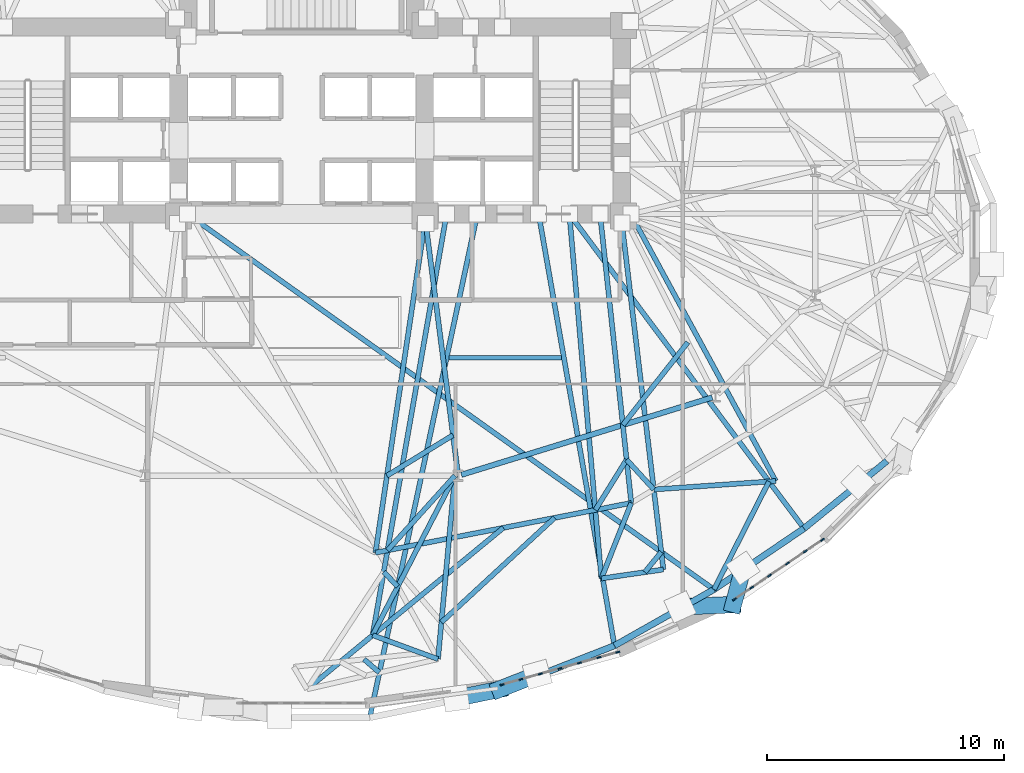
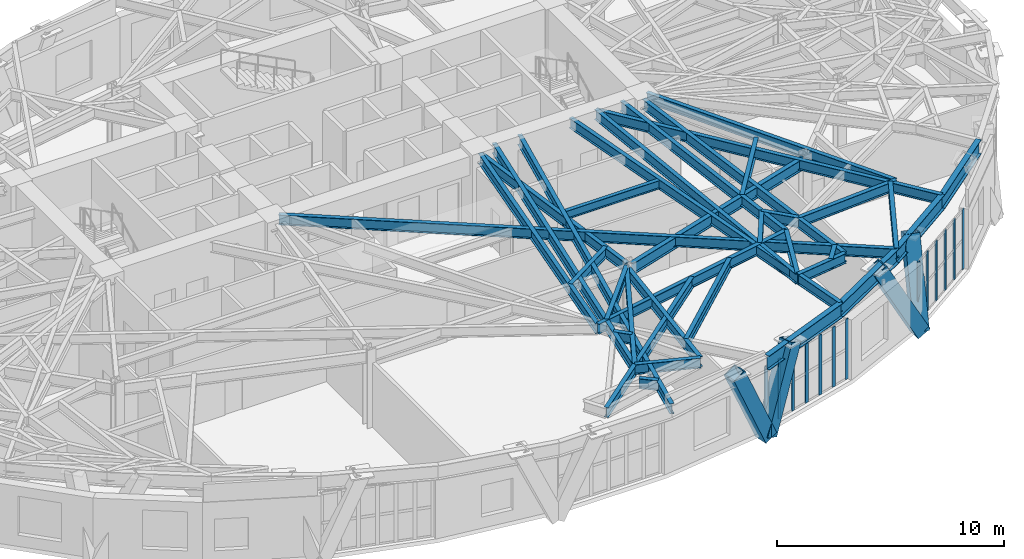
# One storey, part 5 of 20: 35 beams, 17 members, 2 elements without a shape of their own.
"""IFC4 building model written with IfcOpenShell, lengths in metres."""

import ifcopenshell
import ifcopenshell.guid

model = None  # the IFC model being written
_history = None  # IfcOwnerHistory: only IFC2X3 demands one
_inside = {}  # id of a spatial element -> (the spatial element, [elements in it])
_under = {}  # id of a project, library or spatial element -> (it, [spatial elements below it])
_declared = {}  # id of a project -> (the project, [libraries it declares])
_typed = {}  # id of a type object -> (the type object, [elements of that type])
_made_of = {}  # id of a material, layer set ... -> (it, [elements and type objects made of it])


def new_model(schema):
    """Start an empty IFC model of exactly this schema.

    Asked for "IFC4X3", IfcOpenShell would pick the latest addendum, in which some entities
    have other attributes; the version numbers below select the first issue.
    IFC2X3 requires an IfcOwnerHistory on every rooted entity: one is made here for all.
    """
    global model, _history
    if schema == "IFC4X3":
        model = ifcopenshell.file(schema_version=(4, 3, 0, 0))
    else:
        model = ifcopenshell.file(schema=schema)
    _inside.clear()
    _under.clear()
    _declared.clear()
    _typed.clear()
    _made_of.clear()
    _history = None
    if model.schema == "IFC2X3":
        org = make("IfcOrganization", Name="unknown")
        user = make(
            "IfcPersonAndOrganization",
            ThePerson=make("IfcPerson", FamilyName="unknown"),
            TheOrganization=org,
        )
        app = make(
            "IfcApplication",
            ApplicationDeveloper=org,
            Version="unknown",
            ApplicationFullName="unknown",
            ApplicationIdentifier="unknown",
        )
        _history = make(
            "IfcOwnerHistory",
            OwningUser=user,
            OwningApplication=app,
            ChangeAction="ADDED",
            CreationDate=0,
        )
    return model


def make(cls, **values):
    """One entity of the class cls with the attributes given. An attribute that is None is left unset."""
    return model.create_entity(
        cls, **{name: value for name, value in values.items() if value is not None}
    )


def rooted(cls, **values):
    """An entity with a GlobalId (a new one), such as an element, a storey or a relation."""
    return make(cls, GlobalId=ifcopenshell.guid.new(), OwnerHistory=_history, **values)


def si_unit(unit_type, name, prefix=None):
    """IfcSIUnit, for example si_unit("LENGTHUNIT", "METRE", prefix="MILLI")."""
    return make("IfcSIUnit", UnitType=unit_type, Prefix=prefix, Name=name)


def assignment(units):
    """IfcUnitAssignment: the units of a project."""
    return None if units is None else make("IfcUnitAssignment", Units=units)


def point(xyz):
    """IfcCartesianPoint."""
    return None if xyz is None else make("IfcCartesianPoint", Coordinates=xyz)


def direction(xyz):
    """IfcDirection."""
    return None if xyz is None else make("IfcDirection", DirectionRatios=xyz)


def frame(location, z_axis=None, x_axis=None):
    """IfcAxis2Placement3D, a coordinate frame: its origin and axes. An axis left out is left unset."""
    return make(
        "IfcAxis2Placement3D",
        Location=point(location),
        Axis=direction(z_axis),
        RefDirection=direction(x_axis),
    )


def frame_2d(location, x_axis=None):
    """IfcAxis2Placement2D, a coordinate frame in the plane: its origin and x axis."""
    return make(
        "IfcAxis2Placement2D", Location=point(location), RefDirection=direction(x_axis)
    )


def origin():
    """The frame at (0, 0, 0) with its axes left unset."""
    return frame((0.0, 0.0, 0.0))


def origin_2d():
    """The frame at (0, 0) in the plane with its x axis left unset."""
    return frame_2d((0.0, 0.0))


def place(relative_to, where):
    """IfcLocalPlacement: puts the frame where relative to a parent placement (None: the world)."""
    return make(
        "IfcLocalPlacement", PlacementRelTo=relative_to, RelativePlacement=where
    )


def context(
    kind, dimensions, precision=None, world=None, true_north=None, identifier=None
):
    """IfcGeometricRepresentationContext, for example the 3D "Model" context."""
    return make(
        "IfcGeometricRepresentationContext",
        ContextIdentifier=identifier,
        ContextType=kind,
        CoordinateSpaceDimension=dimensions,
        Precision=precision,
        WorldCoordinateSystem=world,
        TrueNorth=true_north,
    )


def subcontext(parent, identifier, kind, view, scale=None):
    """IfcGeometricRepresentationSubContext, for example "Body" below "Model"."""
    return make(
        "IfcGeometricRepresentationSubContext",
        ContextIdentifier=identifier,
        ContextType=kind,
        ParentContext=parent,
        TargetScale=scale,
        TargetView=view,
    )


def project(units=None, contexts=None):
    """IfcProject with its units and contexts."""
    return rooted(
        "IfcProject",
        Name="project",
        RepresentationContexts=contexts,
        UnitsInContext=assignment(units),
    )


def spatial(cls, under=None, at=None, **own):
    """A site, building, storey or space (cls), placed at a placement, below another one or the project."""
    s = rooted(cls, ObjectPlacement=at, **own)
    if under is not None:
        _under.setdefault(under.id(), (under, []))[1].append(s)
    return s


def profile(cls, at=None, kind="AREA", **sizes):
    """A parametric profile (cls). Its sizes go by their IFC names, for example OverallWidth=200.0."""
    return make(cls, ProfileType=kind, Position=at, **sizes)


def rectangle(**sizes):
    """IfcRectangleProfileDef."""
    return profile("IfcRectangleProfileDef", **sizes)


def hollow_rectangle(**sizes):
    """IfcRectangleHollowProfileDef."""
    return profile("IfcRectangleHollowProfileDef", **sizes)


def i_section(**sizes):
    """IfcIShapeProfileDef."""
    return profile("IfcIShapeProfileDef", **sizes)


def extrude(swept, where, along, depth):
    """IfcExtrudedAreaSolid: the profile swept, set in the frame where, extruded along a direction by depth."""
    return make(
        "IfcExtrudedAreaSolid",
        SweptArea=swept,
        Position=where,
        ExtrudedDirection=direction(along),
        Depth=depth,
    )


def shape(context_of_items, identifier, shape_type, items):
    """IfcShapeRepresentation: the items that make up one representation, for example the "Body"."""
    return make(
        "IfcShapeRepresentation",
        ContextOfItems=context_of_items,
        RepresentationIdentifier=identifier,
        RepresentationType=shape_type,
        Items=items,
    )


def material(Name=None, Category=None):
    """IfcMaterial."""
    return make("IfcMaterial", Name=Name, Category=Category)


def layer(
    of_material, thickness, ventilated=None, Name=None, Category=None, Priority=None
):
    """IfcMaterialLayer: one layer of a wall or slab, of a material (None: an air gap)."""
    return make(
        "IfcMaterialLayer",
        Material=of_material,
        LayerThickness=thickness,
        IsVentilated=ventilated,
        Name=Name,
        Category=Category,
        Priority=Priority,
    )


def layer_set(layers, Name=None):
    """IfcMaterialLayerSet."""
    return make("IfcMaterialLayerSet", MaterialLayers=layers, LayerSetName=Name)


def material_profile(
    of_material, cross_section, Name=None, Category=None, Priority=None
):
    """IfcMaterialProfile: a cross section and its material."""
    return make(
        "IfcMaterialProfile",
        Name=Name,
        Material=of_material,
        Profile=cross_section,
        Priority=Priority,
        Category=Category,
    )


def profile_set(profiles, Name=None, composite=None):
    """IfcMaterialProfileSet."""
    return make(
        "IfcMaterialProfileSet",
        Name=Name,
        MaterialProfiles=profiles,
        CompositeProfile=composite,
    )


def made_of(thing, what):
    """Note that an element or type object is made of a material, layer set ...; save() writes the relation."""
    if what is not None:
        _made_of.setdefault(what.id(), (what, []))[1].append(thing)
    return thing


def type_object(cls, material=None, **own):
    """A type object (cls), such as IfcWallType, which elements share."""
    return made_of(rooted(cls, **own), material)


def element(
    cls,
    number,
    at=None,
    inside=None,
    cuts=None,
    type_object=None,
    material=None,
    context=None,
    identifier="Body",
    shape_type=None,
    held_by="IfcProductDefinitionShape",
    body=None,
    shapes=None,
    **own,
):
    """One element of the class cls, such as IfcWall. Its Tag is "e" and its number.

    at: its placement. inside: the storey or other place that contains it. cuts: it is an
    opening in that element (IfcRelVoidsElement). A single representation is given by context,
    identifier, shape_type and body (its items); several are given by shapes. held_by: the class
    of the entity that holds the representations. save() writes the other relations.
    """
    e = rooted(cls, Tag="e%d" % number, ObjectPlacement=at, **own)
    if body is not None:
        shapes = [shape(context, identifier, shape_type, body)]
    if shapes is not None:
        e.Representation = make(held_by, Representations=shapes)
    if inside is not None:
        _inside.setdefault(inside.id(), (inside, []))[1].append(e)
    if cuts is not None:
        rooted(
            "IfcRelVoidsElement", RelatingBuildingElement=cuts, RelatedOpeningElement=e
        )
    if type_object is not None:
        _typed.setdefault(type_object.id(), (type_object, []))[1].append(e)
    return made_of(e, material)


def aggregate(whole, parts):
    """IfcRelAggregates: a whole, such as a stair, and the parts it consists of."""
    return rooted("IfcRelAggregates", RelatingObject=whole, RelatedObjects=parts)


def save(model, path):
    """Write the relations noted so far, then the file.

    IfcRelAggregates (storeys below a building ...), IfcRelContainedInSpatialStructure (elements
    in a storey), IfcRelDefinesByType, IfcRelAssociatesMaterial and IfcRelDeclares: one each for
    every whole, place, type object, material and project.
    """
    for whole, parts in _under.values():
        aggregate(whole, parts)
    for where, things in _inside.values():
        rooted(
            "IfcRelContainedInSpatialStructure",
            RelatedElements=things,
            RelatingStructure=where,
        )
    for kind, things in _typed.values():
        rooted("IfcRelDefinesByType", RelatedObjects=things, RelatingType=kind)
    for what, things in _made_of.values():
        rooted("IfcRelAssociatesMaterial", RelatedObjects=things, RelatingMaterial=what)
    for by, libraries in _declared.values():
        rooted("IfcRelDeclares", RelatingContext=by, RelatedDefinitions=libraries)
    model.write(path)


model = new_model("IFC4")

# Units and contexts
model_context = context("Model", 3, precision=1e-05, world=origin(), true_north=direction((0.0, 1.0)))
body_context = subcontext(model_context, "Body", "Model", "MODEL_VIEW")
ifc_project = project(units=[si_unit("LENGTHUNIT", "METRE"), si_unit("AREAUNIT", "SQUARE_METRE"), si_unit("VOLUMEUNIT", "CUBIC_METRE"), si_unit("PLANEANGLEUNIT", "RADIAN"), si_unit("MASSUNIT", "GRAM", prefix="KILO")], contexts=[model_context])

# Site, building, storey
site_placement = place(None, origin())
site = spatial("IfcSite", under=ifc_project, at=site_placement, CompositionType="ELEMENT")
building_placement = place(site_placement, origin())
building = spatial("IfcBuilding", under=site, at=building_placement, Name="Keldmark Tower", CompositionType="ELEMENT")
storey_placement = place(building_placement, frame((0.0, 0.0, 81.89990234375)))
storey = spatial("IfcBuildingStorey", under=building, at=storey_placement, Name="L21", CompositionType="ELEMENT", Elevation=81.89990234375)

# Beam
ifc_material_1 = material(Name="Steel ASTM A992 Grade 50", Category="steel")
ifc_material_profile_1 = material_profile(ifc_material_1, i_section(OverallWidth=0.19091796875, OverallDepth=0.45703125, WebThickness=0.009033203125, FlangeThickness=0.014404296875, at=origin_2d()), Name="W18X50")
ifc_profile_set_1 = profile_set([ifc_material_profile_1], Name="Steel ASTM A992 Grade 50")
beam_type_1 = type_object("IfcBeamType", Name="Composite Floor Joist W18X50", PredefinedType="JOIST", material=ifc_profile_set_1)
beam_1_placement = place(storey_placement, frame((6.21923828125, -4.60009765625, 3.781494140625), z_axis=(1.0, 0.0, 0.0), x_axis=(0.0, 1.0, 0.0)))
element("IfcBeam", 1, at=beam_1_placement, inside=storey, type_object=beam_type_1, Name="L21 Composite Floor Joist J05", PredefinedType="JOIST", context=body_context, shape_type="SweptSolid", body=[
    extrude(i_section(OverallWidth=0.19091796875, OverallDepth=0.45703125, WebThickness=0.009033203125, FlangeThickness=0.014404296875, at=origin_2d()), origin(), (0.0, 0.0, 1.0), 4.760986328125),
])

# Curtain wall, members
ifc_material_2 = material(Name="Unitized Thermally Broken Aluminum and Triple Low-E Glazing", Category="aluminium")
ifc_layer = layer(ifc_material_2, 0.219970703125)
ifc_layer_set = layer_set([ifc_layer], Name="Unitized Thermally Broken Aluminum and Triple Low-E Glazing")
curtain_wall_type = type_object("IfcCurtainWallType", Name="Sky Lobby Amenity Curtain Wall System", PredefinedType="NOTDEFINED", material=ifc_layer_set)
curtain_wall_1_placement = place(storey_placement, origin())
curtain_wall_1 = element("IfcCurtainWall", 2, at=curtain_wall_1_placement, inside=storey, type_object=curtain_wall_type, Name="L21 Sky Lobby Amenity Curtain Wall System CW-L21-26", PredefinedType="NOTDEFINED")
ifc_material_3 = material(Name="Extruded Aluminum Alloy 6063-T6", Category="aluminium")
ifc_material_profile_2 = material_profile(ifc_material_3, rectangle(XDim=0.06005859375, YDim=0.179931640625, at=origin_2d()), Name="CWM60X180")
ifc_profile_set_2 = profile_set([ifc_material_profile_2], Name="Extruded Aluminum Alloy 6063-T6")
member_type_1 = type_object("IfcMemberType", Name="Curtain Wall Structural Mullion 60x180", PredefinedType="MULLION", material=ifc_profile_set_2)
member_1_placement = place(storey_placement, frame((13.35302734375, -17.031494140625, 0.0), z_axis=(0.0, 0.0, 1.0), x_axis=(0.270028458695, -0.962852341481, 0.0)))
member_1 = element("IfcMember", 3, at=member_1_placement, type_object=member_type_1, Name="CW mullion 1", PredefinedType="MULLION", context=body_context, shape_type="SweptSolid", body=[
    extrude(rectangle(XDim=0.06005859375, YDim=0.179931640625, at=origin_2d()), origin(), (0.0, 0.0, 1.0), 3.22802734375),
])
member_2_placement = place(storey_placement, frame((12.5576171875, -17.254638671875, 0.0), z_axis=(0.0, 0.0, 1.0), x_axis=(0.270028458695, -0.962852341481, 0.0)))
member_2 = element("IfcMember", 4, at=member_2_placement, type_object=member_type_1, Name="CW mullion 2", PredefinedType="MULLION", context=body_context, shape_type="SweptSolid", body=[
    extrude(rectangle(XDim=0.06005859375, YDim=0.179931640625, at=origin_2d()), origin(), (0.0, 0.0, 1.0), 3.22802734375),
])
member_3_placement = place(storey_placement, frame((11.733154296875, -17.48583984375, 0.0), z_axis=(0.0, 0.0, 1.0), x_axis=(0.270028458695, -0.962852341481, 0.0)))
member_3 = element("IfcMember", 5, at=member_3_placement, type_object=member_type_1, Name="CW mullion 3", PredefinedType="MULLION", context=body_context, shape_type="SweptSolid", body=[
    extrude(rectangle(XDim=0.06005859375, YDim=0.179931640625, at=origin_2d()), origin(), (0.0, 0.0, 1.0), 3.22802734375),
])
member_4_placement = place(storey_placement, frame((10.90869140625, -17.717041015625, 0.0), z_axis=(0.0, 0.0, 1.0), x_axis=(0.270028458695, -0.962852341481, 0.0)))
member_4 = element("IfcMember", 6, at=member_4_placement, type_object=member_type_1, Name="CW mullion 4", PredefinedType="MULLION", context=body_context, shape_type="SweptSolid", body=[
    extrude(rectangle(XDim=0.06005859375, YDim=0.179931640625, at=origin_2d()), origin(), (0.0, 0.0, 1.0), 3.22802734375),
])
member_5_placement = place(storey_placement, frame((10.08447265625, -17.9482421875, 0.0), z_axis=(0.0, 0.0, 1.0), x_axis=(0.270028458695, -0.962852341481, 0.0)))
member_5 = element("IfcMember", 7, at=member_5_placement, type_object=member_type_1, Name="CW mullion 5", PredefinedType="MULLION", context=body_context, shape_type="SweptSolid", body=[
    extrude(rectangle(XDim=0.06005859375, YDim=0.179931640625, at=origin_2d()), origin(), (0.0, 0.0, 1.0), 3.22802734375),
])
member_6_placement = place(storey_placement, frame((9.260009765625, -18.179443359375, 0.0), z_axis=(0.0, 0.0, 1.0), x_axis=(0.270028458695, -0.962852341481, 0.0)))
member_6 = element("IfcMember", 8, at=member_6_placement, type_object=member_type_1, Name="CW mullion 6", PredefinedType="MULLION", context=body_context, shape_type="SweptSolid", body=[
    extrude(rectangle(XDim=0.06005859375, YDim=0.179931640625, at=origin_2d()), origin(), (0.0, 0.0, 1.0), 3.22802734375),
])
member_7_placement = place(storey_placement, frame((8.464599609375, -18.402587890625, 0.0), z_axis=(0.0, 0.0, 1.0), x_axis=(0.270028458695, -0.962852341481, 0.0)))
member_7 = element("IfcMember", 9, at=member_7_placement, type_object=member_type_1, Name="CW mullion 7", PredefinedType="MULLION", context=body_context, shape_type="SweptSolid", body=[
    extrude(rectangle(XDim=0.06005859375, YDim=0.179931640625, at=origin_2d()), origin(), (0.0, 0.0, 1.0), 3.22802734375),
])
aggregate(curtain_wall_1, [member_1, member_2, member_3, member_4, member_5, member_6, member_7])

curtain_wall_2_placement = place(storey_placement, origin())
curtain_wall_2 = element("IfcCurtainWall", 10, at=curtain_wall_2_placement, inside=storey, type_object=curtain_wall_type, Name="L21 Sky Lobby Amenity Curtain Wall System CW-L21-28", PredefinedType="NOTDEFINED")
member_8_placement = place(storey_placement, frame((21.998779296875, -12.283935546875, 0.0), z_axis=(0.0, 0.0, 1.0), x_axis=(0.560641681706, -0.828058515284, 0.0)))
member_8 = element("IfcMember", 11, at=member_8_placement, type_object=member_type_1, Name="CW mullion 1", PredefinedType="MULLION", context=body_context, shape_type="SweptSolid", body=[
    extrude(rectangle(XDim=0.06005859375, YDim=0.179931640625, at=origin_2d()), origin(), (0.0, 0.0, 1.0), 3.22802734375),
])
member_9_placement = place(storey_placement, frame((21.271484375, -12.776123046875, 0.0), z_axis=(0.0, 0.0, 1.0), x_axis=(0.560641681706, -0.828058515284, 0.0)))
member_9 = element("IfcMember", 12, at=member_9_placement, type_object=member_type_1, Name="CW mullion 2", PredefinedType="MULLION", context=body_context, shape_type="SweptSolid", body=[
    extrude(rectangle(XDim=0.06005859375, YDim=0.179931640625, at=origin_2d()), origin(), (0.0, 0.0, 1.0), 3.22802734375),
])
member_10_placement = place(storey_placement, frame((20.519287109375, -13.285400390625, 0.0), z_axis=(0.0, 0.0, 1.0), x_axis=(0.560641681706, -0.828058515284, 0.0)))
member_10 = element("IfcMember", 13, at=member_10_placement, type_object=member_type_1, Name="CW mullion 3", PredefinedType="MULLION", context=body_context, shape_type="SweptSolid", body=[
    extrude(rectangle(XDim=0.06005859375, YDim=0.179931640625, at=origin_2d()), origin(), (0.0, 0.0, 1.0), 3.22802734375),
])
member_11_placement = place(storey_placement, frame((19.767333984375, -13.794677734375, 0.0), z_axis=(0.0, 0.0, 1.0), x_axis=(0.560641681706, -0.828058515284, 0.0)))
member_11 = element("IfcMember", 14, at=member_11_placement, type_object=member_type_1, Name="CW mullion 4", PredefinedType="MULLION", context=body_context, shape_type="SweptSolid", body=[
    extrude(rectangle(XDim=0.06005859375, YDim=0.179931640625, at=origin_2d()), origin(), (0.0, 0.0, 1.0), 3.22802734375),
])
member_12_placement = place(storey_placement, frame((19.01513671875, -14.3037109375, 0.0), z_axis=(0.0, 0.0, 1.0), x_axis=(0.560641681706, -0.828058515284, 0.0)))
member_12 = element("IfcMember", 15, at=member_12_placement, type_object=member_type_1, Name="CW mullion 5", PredefinedType="MULLION", context=body_context, shape_type="SweptSolid", body=[
    extrude(rectangle(XDim=0.06005859375, YDim=0.179931640625, at=origin_2d()), origin(), (0.0, 0.0, 1.0), 3.22802734375),
])
member_13_placement = place(storey_placement, frame((18.287841796875, -14.796142578125, 0.0), z_axis=(0.0, 0.0, 1.0), x_axis=(0.560641681706, -0.828058515284, 0.0)))
member_13 = element("IfcMember", 16, at=member_13_placement, type_object=member_type_1, Name="CW mullion 6", PredefinedType="MULLION", context=body_context, shape_type="SweptSolid", body=[
    extrude(rectangle(XDim=0.06005859375, YDim=0.179931640625, at=origin_2d()), origin(), (0.0, 0.0, 1.0), 3.22802734375),
])
aggregate(curtain_wall_2, [member_8, member_9, member_10, member_11, member_12, member_13])

# Members
ifc_material_4 = material(Name="Steel ASTM A572 Grade 50", Category="steel")
ifc_material_profile_3 = material_profile(ifc_material_4, hollow_rectangle(XDim=0.699951171875, YDim=0.699951171875, WallThickness=0.054931640625, at=origin_2d()), Name="BOX700X700X55")
ifc_profile_set_3 = profile_set([ifc_material_profile_3], Name="Steel ASTM A572 Grade 50")
member_type_2 = type_object("IfcMemberType", Name="Diagrid Zone 1 Brace BOX700X700X55", PredefinedType="BRACE", material=ifc_profile_set_3)
member_14_placement = place(storey_placement, frame((8.354248046875, -18.6005859375, -0.2998046875), z_axis=(-0.399517615859, -0.082723021659, 0.912985529078), x_axis=(0.202756509143, -0.979229185635, 0.0)))
element("IfcMember", 17, at=member_14_placement, inside=storey, type_object=member_type_2, Name="L21 Perimeter Diagrid Brace 13A", PredefinedType="BRACE", context=body_context, shape_type="SweptSolid", body=[
    extrude(hollow_rectangle(XDim=0.699951171875, YDim=0.699951171875, WallThickness=0.054931640625, at=origin_2d()), origin(), (0.0, 0.0, 1.0), 4.58935546875),
])
member_15_placement = place(storey_placement, frame((8.3427734375, -18.602783203125, -0.2998046875), z_axis=(0.35550658769, 0.139897927116, 0.92414481338), x_axis=(-0.366184335063, 0.930542332597, 0.0)))
element("IfcMember", 18, at=member_15_placement, inside=storey, type_object=member_type_2, Name="L21 Perimeter Diagrid Brace 13B", PredefinedType="BRACE", context=body_context, shape_type="SweptSolid", body=[
    extrude(hollow_rectangle(XDim=0.699951171875, YDim=0.699951171875, WallThickness=0.054931640625, at=origin_2d()), origin(), (0.0, 0.0, 1.0), 4.533935546875),
])
member_16_placement = place(storey_placement, frame((18.2421875, -15.020751953125, -0.2998046875), z_axis=(-0.474031171638, -0.021080589866, 0.880255677088), x_axis=(0.044426984701, -0.999012634069, 0.0)))
element("IfcMember", 19, at=member_16_placement, inside=storey, type_object=member_type_2, Name="L21 Perimeter Diagrid Brace 14A", PredefinedType="BRACE", context=body_context, shape_type="SweptSolid", body=[
    extrude(hollow_rectangle(XDim=0.699951171875, YDim=0.699951171875, WallThickness=0.054931640625, at=origin_2d()), origin(), (0.0, 0.0, 1.0), 4.760009765625),
])
member_17_placement = place(storey_placement, frame((18.232421875, -15.02734375, -0.2998046875), z_axis=(0.091907270107, 0.345590925072, 0.933873635033), x_axis=(-0.966408983899, 0.257009096804, 0.0)))
element("IfcMember", 20, at=member_17_placement, inside=storey, type_object=member_type_2, Name="L21 Perimeter Diagrid Brace 14B", PredefinedType="BRACE", context=body_context, shape_type="SweptSolid", body=[
    extrude(hollow_rectangle(XDim=0.699951171875, YDim=0.699951171875, WallThickness=0.054931640625, at=origin_2d()), origin(), (0.0, 0.0, 1.0), 4.486572265625),
])

# Beams
ifc_material_5 = material(Name="Steel ASTM A992 Grade 50", Category="steel")
ifc_material_profile_4 = material_profile(ifc_material_5, i_section(OverallWidth=0.22900390625, OverallDepth=0.612060546875, WebThickness=0.011962890625, FlangeThickness=0.01953125, at=origin_2d()), Name="W24X84")
ifc_profile_set_4 = profile_set([ifc_material_profile_4], Name="Steel ASTM A992 Grade 50")
beam_type_2 = type_object("IfcBeamType", Name="Primary Floor Girder W24X84", PredefinedType="BEAM", material=ifc_profile_set_4)
beam_2_placement = place(storey_placement, frame((6.74658203125, -9.5380859375, 3.7041015625), z_axis=(0.955607954968, 0.294641199432, 0.0), x_axis=(-0.294641199432, 0.955607954968, 0.0)))
element("IfcBeam", 21, at=beam_2_placement, inside=storey, type_object=beam_type_2, Name="L21 Floor Ring Girder FG-R10", PredefinedType="BEAM", context=body_context, shape_type="SweptSolid", body=[
    extrude(i_section(OverallWidth=0.22900390625, OverallDepth=0.612060546875, WebThickness=0.011962890625, FlangeThickness=0.01953125, at=origin_2d()), origin(), (0.0, 0.0, 1.0), 11.089111328125),
])
ifc_material_6 = material(Name="Steel ASTM A992 Grade 50", Category="steel")
ifc_material_profile_5 = material_profile(ifc_material_6, i_section(OverallWidth=0.2099609375, OverallDepth=0.537109375, WebThickness=0.010986328125, FlangeThickness=0.017333984375, at=origin_2d()), Name="W21X68")
ifc_profile_set_5 = profile_set([ifc_material_profile_5], Name="Steel ASTM A992 Grade 50")
beam_type_3 = type_object("IfcBeamType", Name="Radial Tie Girder W21X68", PredefinedType="BEAM", material=ifc_profile_set_5)
beam_3_placement = place(storey_placement, frame((6.391845703125, -7.862060546875, 3.74169921875), z_axis=(-0.851591781509, -0.524205529985, 0.0), x_axis=(0.524205529985, -0.851591781509, 0.0)))
element("IfcBeam", 22, at=beam_3_placement, inside=storey, type_object=beam_type_3, Name="L21 Framing Pin Header PH-007", PredefinedType="BEAM", context=body_context, shape_type="SweptSolid", body=[
    extrude(i_section(OverallWidth=0.2099609375, OverallDepth=0.537109375, WebThickness=0.010986328125, FlangeThickness=0.017333984375, at=origin_2d()), origin(), (0.0, 0.0, 1.0), 3.27587890625),
])
beam_4_placement = place(storey_placement, frame((5.199951171875, 1.10009765625, 3.74169921875), z_axis=(-0.147980201416, -0.988990323506, 0.0), x_axis=(0.988990323506, -0.147980201416, 0.0)))
element("IfcBeam", 23, at=beam_4_placement, inside=storey, type_object=beam_type_3, Name="L21 Sub-Ring Step Girder STP2-M10", PredefinedType="BEAM", context=body_context, shape_type="SweptSolid", body=[
    extrude(i_section(OverallWidth=0.2099609375, OverallDepth=0.537109375, WebThickness=0.010986328125, FlangeThickness=0.017333984375, at=origin_2d()), origin(), (0.0, 0.0, 1.0), 14.08447265625),
])
beam_5_placement = place(storey_placement, frame((16.313232421875, -3.93896484375, 3.74169921875), z_axis=(-0.617671163746, -0.786436477713, 0.0), x_axis=(0.786436477713, -0.617671163746, 0.0)))
element("IfcBeam", 24, at=beam_5_placement, inside=storey, type_object=beam_type_3, Name="L21 Framing Pin Header PH-008", PredefinedType="BEAM", context=body_context, shape_type="SweptSolid", body=[
    extrude(i_section(OverallWidth=0.2099609375, OverallDepth=0.537109375, WebThickness=0.010986328125, FlangeThickness=0.017333984375, at=origin_2d()), origin(), (0.0, 0.0, 1.0), 4.445556640625),
])
beam_6_placement = place(storey_placement, frame((12.603515625, 1.47509765625, 3.74169921875), z_axis=(0.107562090176, -0.994198368917, 0.0), x_axis=(0.994198368917, 0.107562090176, 0.0)))
element("IfcBeam", 25, at=beam_6_placement, inside=storey, type_object=beam_type_3, Name="L21 Sub-Ring Step Girder STP2-M11", PredefinedType="BEAM", context=body_context, shape_type="SweptSolid", body=[
    extrude(i_section(OverallWidth=0.2099609375, OverallDepth=0.537109375, WebThickness=0.010986328125, FlangeThickness=0.017333984375, at=origin_2d()), origin(), (0.0, 0.0, 1.0), 12.272705078125),
])
beam_7_placement = place(storey_placement, frame((3.11572265625, -12.829345703125, 3.74169921875), z_axis=(0.981589877488, 0.191000817834, 0.0), x_axis=(-0.191000817834, 0.981589877488, 0.0)))
element("IfcBeam", 26, at=beam_7_placement, inside=storey, type_object=beam_type_3, Name="L21 Perimeter Collector Ring Beam CRG2-M10", PredefinedType="BEAM", context=body_context, shape_type="SweptSolid", body=[
    extrude(i_section(OverallWidth=0.2099609375, OverallDepth=0.537109375, WebThickness=0.010986328125, FlangeThickness=0.017333984375, at=origin_2d()), origin(), (0.0, 0.0, 1.0), 11.010498046875),
])
beam_8_placement = place(storey_placement, frame((6.472900390625, -9.579345703125, 3.74169921875), z_axis=(-0.670472122366, -0.741934722958, 0.0), x_axis=(0.741934722958, -0.670472122366, 0.0)))
element("IfcBeam", 27, at=beam_8_placement, inside=storey, type_object=beam_type_3, Name="L21 Framing Pin Header PH-027", PredefinedType="BEAM", context=body_context, shape_type="SweptSolid", body=[
    extrude(i_section(OverallWidth=0.2099609375, OverallDepth=0.537109375, WebThickness=0.010986328125, FlangeThickness=0.017333984375, at=origin_2d()), origin(), (0.0, 0.0, 1.0), 4.24658203125),
])
beam_9_placement = place(storey_placement, frame((6.121337890625, 1.47509765625, 3.74169921875), z_axis=(-0.173038054123, -0.984915139403, 0.0), x_axis=(0.984915139403, -0.173038054123, 0.0)))
element("IfcBeam", 28, at=beam_9_placement, inside=storey, type_object=beam_type_3, Name="L21 Intermediate Radial Step Girder RT-25M", PredefinedType="BEAM", context=body_context, shape_type="SweptSolid", body=[
    extrude(i_section(OverallWidth=0.2099609375, OverallDepth=0.537109375, WebThickness=0.010986328125, FlangeThickness=0.017333984375, at=origin_2d()), origin(), (0.0, 0.0, 1.0), 18.06103515625),
])
beam_10_placement = place(storey_placement, frame((6.472900390625, -9.579345703125, 3.74169921875), z_axis=(-0.458760257493, -0.888560085838, 0.0), x_axis=(0.888560085838, -0.458760257493, 0.0)))
element("IfcBeam", 29, at=beam_10_placement, inside=storey, type_object=beam_type_3, Name="L21 Local Collector Chord RT-25C", PredefinedType="BEAM", context=body_context, shape_type="SweptSolid", body=[
    extrude(i_section(OverallWidth=0.2099609375, OverallDepth=0.537109375, WebThickness=0.010986328125, FlangeThickness=0.017333984375, at=origin_2d()), origin(), (0.0, 0.0, 1.0), 7.57861328125),
])
beam_11_placement = place(storey_placement, frame((3.465087890625, -13.645263671875, 3.74169921875), z_axis=(0.697577934693, -0.716508914829, 0.0), x_axis=(0.716508914829, 0.697577934693, 0.0)))
element("IfcBeam", 30, at=beam_11_placement, inside=storey, type_object=beam_type_3, Name="L21 Framing Pin Header PH-028", PredefinedType="BEAM", context=body_context, shape_type="SweptSolid", body=[
    extrude(i_section(OverallWidth=0.2099609375, OverallDepth=0.537109375, WebThickness=0.010986328125, FlangeThickness=0.017333984375, at=origin_2d()), origin(), (0.0, 0.0, 1.0), 0.85107421875),
])
beam_12_placement = place(storey_placement, frame((2.99609375, -16.3134765625, 3.74169921875), z_axis=(0.939310197228, -0.34306902131, 0.0), x_axis=(0.34306902131, 0.939310197228, 0.0)))
element("IfcBeam", 31, at=beam_12_placement, inside=storey, type_object=beam_type_3, Name="L21 Local Collector Chord RT-26C", PredefinedType="BEAM", context=body_context, shape_type="SweptSolid", body=[
    extrude(i_section(OverallWidth=0.2099609375, OverallDepth=0.537109375, WebThickness=0.010986328125, FlangeThickness=0.017333984375, at=origin_2d()), origin(), (0.0, 0.0, 1.0), 2.941162109375),
])
beam_13_placement = place(storey_placement, frame((13.7255859375, -8.89599609375, 3.74169921875), z_axis=(-0.527382296091, -0.849628103213, 0.0), x_axis=(0.849628103213, -0.527382296091, 0.0)))
element("IfcBeam", 32, at=beam_13_placement, inside=storey, type_object=beam_type_3, Name="L21 Framing Pin Header PH-029", PredefinedType="BEAM", context=body_context, shape_type="SweptSolid", body=[
    extrude(i_section(OverallWidth=0.2099609375, OverallDepth=0.537109375, WebThickness=0.010986328125, FlangeThickness=0.017333984375, at=origin_2d()), origin(), (0.0, 0.0, 1.0), 2.501708984375),
])
beam_14_placement = place(storey_placement, frame((11.30712890625, 1.47509765625, 3.74169921875), z_axis=(0.087609303722, -0.996154912602, 0.0), x_axis=(0.996154912602, 0.087609303722, 0.0)))
element("IfcBeam", 33, at=beam_14_placement, inside=storey, type_object=beam_type_3, Name="L21 Intermediate Radial Step Girder RT-27M", PredefinedType="BEAM", context=body_context, shape_type="SweptSolid", body=[
    extrude(i_section(OverallWidth=0.2099609375, OverallDepth=0.537109375, WebThickness=0.010986328125, FlangeThickness=0.017333984375, at=origin_2d()), origin(), (0.0, 0.0, 1.0), 15.4521484375),
])
beam_15_placement = place(storey_placement, frame((13.923583984375, -10.726318359375, 3.74169921875), z_axis=(-0.367904950833, -0.929863402416, 0.0), x_axis=(0.929863402416, -0.367904950833, 0.0)))
element("IfcBeam", 34, at=beam_15_placement, inside=storey, type_object=beam_type_3, Name="L21 Local Collector Chord RT-27C", PredefinedType="BEAM", context=body_context, shape_type="SweptSolid", body=[
    extrude(i_section(OverallWidth=0.2099609375, OverallDepth=0.537109375, WebThickness=0.010986328125, FlangeThickness=0.017333984375, at=origin_2d()), origin(), (0.0, 0.0, 1.0), 3.43212890625),
])
beam_16_placement = place(storey_placement, frame((10.0107421875, 1.47509765625, 3.74169921875), z_axis=(0.173020817442, -0.984918167531, 0.0), x_axis=(0.984918167531, 0.173020817442, 0.0)))
element("IfcBeam", 35, at=beam_16_placement, inside=storey, type_object=beam_type_3, Name="L21 Perimeter Radial Tie Girder RT-27", PredefinedType="BEAM", context=body_context, shape_type="SweptSolid", body=[
    extrude(i_section(OverallWidth=0.2099609375, OverallDepth=0.537109375, WebThickness=0.010986328125, FlangeThickness=0.017333984375, at=origin_2d()), origin(), (0.0, 0.0, 1.0), 18.510009765625),
])
beam_17_placement = place(storey_placement, frame((13.7255859375, -8.89599609375, 3.74169921875), z_axis=(0.673007208067, -0.739635922526, 0.0), x_axis=(0.739635922526, 0.673007208067, 0.0)))
element("IfcBeam", 36, at=beam_17_placement, inside=storey, type_object=beam_type_3, Name="L21 Framing Pin Header PH-030", PredefinedType="BEAM", context=body_context, shape_type="SweptSolid", body=[
    extrude(i_section(OverallWidth=0.2099609375, OverallDepth=0.537109375, WebThickness=0.010986328125, FlangeThickness=0.017333984375, at=origin_2d()), origin(), (0.0, 0.0, 1.0), 1.70751953125),
])
beam_18_placement = place(storey_placement, frame((13.52490234375, 1.10009765625, 3.74169921875), z_axis=(0.119027685875, -0.992890935599, 0.0), x_axis=(0.992890935599, 0.119027685875, 0.0)))
element("IfcBeam", 37, at=beam_18_placement, inside=storey, type_object=beam_type_3, Name="L21 Intermediate Radial Step Girder RT-28M", PredefinedType="BEAM", context=body_context, shape_type="SweptSolid", body=[
    extrude(i_section(OverallWidth=0.2099609375, OverallDepth=0.537109375, WebThickness=0.010986328125, FlangeThickness=0.017333984375, at=origin_2d()), origin(), (0.0, 0.0, 1.0), 14.743408203125),
])
beam_19_placement = place(storey_placement, frame((12.660888671875, -13.917724609375, 3.74169921875), z_axis=(0.989682035118, 0.143281085162, 0.0), x_axis=(-0.143281085162, 0.989682035118, 0.0)))
element("IfcBeam", 38, at=beam_19_placement, inside=storey, type_object=beam_type_3, Name="L21 Local Collector Chord RT-28C", PredefinedType="BEAM", context=body_context, shape_type="SweptSolid", body=[
    extrude(i_section(OverallWidth=0.2099609375, OverallDepth=0.537109375, WebThickness=0.010986328125, FlangeThickness=0.017333984375, at=origin_2d()), origin(), (0.0, 0.0, 1.0), 2.646240234375),
])
beam_20_placement = place(storey_placement, frame((14.494140625, -13.65234375, 3.74169921875), z_axis=(0.631850339566, 0.775090413042, 0.0), x_axis=(-0.775090413042, 0.631850339566, 0.0)))
element("IfcBeam", 39, at=beam_20_placement, inside=storey, type_object=beam_type_3, Name="L21 Framing Pin Header PH-031", PredefinedType="BEAM", context=body_context, shape_type="SweptSolid", body=[
    extrude(i_section(OverallWidth=0.2099609375, OverallDepth=0.537109375, WebThickness=0.010986328125, FlangeThickness=0.017333984375, at=origin_2d()), origin(), (0.0, 0.0, 1.0), 1.102783203125),
])
beam_21_placement = place(storey_placement, frame((-4.824951171875, 1.47509765625, 3.74169921875), z_axis=(0.814204269419, -0.580578511193, 0.0), x_axis=(0.580578511193, 0.814204269419, 0.0)))
element("IfcBeam", 40, at=beam_21_placement, inside=storey, type_object=beam_type_3, Name="L21 Perimeter Radial Tie Girder RT-28", PredefinedType="BEAM", context=body_context, shape_type="SweptSolid", body=[
    extrude(i_section(OverallWidth=0.2099609375, OverallDepth=0.537109375, WebThickness=0.010986328125, FlangeThickness=0.017333984375, at=origin_2d()), origin(), (0.0, 0.0, 1.0), 27.314453125),
])
beam_22_placement = place(storey_placement, frame((13.89990234375, 1.47509765625, 3.74169921875), z_axis=(0.477326534272, -0.878725998067, 0.0), x_axis=(0.878725998067, 0.477326534272, 0.0)))
element("IfcBeam", 41, at=beam_22_placement, inside=storey, type_object=beam_type_3, Name="L21 Intermediate Radial Step Girder RT-29M", PredefinedType="BEAM", context=body_context, shape_type="SweptSolid", body=[
    extrude(i_section(OverallWidth=0.2099609375, OverallDepth=0.537109375, WebThickness=0.010986328125, FlangeThickness=0.017333984375, at=origin_2d()), origin(), (0.0, 0.0, 1.0), 12.8330078125),
])
beam_23_placement = place(storey_placement, frame((14.874755859375, -10.158935546875, 3.74169921875), z_axis=(0.997600914661, 0.069227271132, 0.0), x_axis=(-0.069227271132, 0.997600914661, 0.0)))
element("IfcBeam", 42, at=beam_23_placement, inside=storey, type_object=beam_type_3, Name="L21 Local Collector Chord RT-29C", PredefinedType="BEAM", context=body_context, shape_type="SweptSolid", body=[
    extrude(i_section(OverallWidth=0.2099609375, OverallDepth=0.537109375, WebThickness=0.010986328125, FlangeThickness=0.017333984375, at=origin_2d()), origin(), (0.0, 0.0, 1.0), 5.1630859375),
])
beam_24_placement = place(storey_placement, frame((17.41455078125, -14.383056640625, 3.74169921875), z_axis=(0.45412362773, 0.890938679561, 0.0), x_axis=(-0.890938679561, 0.45412362773, 0.0)))
element("IfcBeam", 43, at=beam_24_placement, inside=storey, type_object=beam_type_3, Name="L21 Framing Pin Header PH-033", PredefinedType="BEAM", context=body_context, shape_type="SweptSolid", body=[
    extrude(i_section(OverallWidth=0.2099609375, OverallDepth=0.537109375, WebThickness=0.010986328125, FlangeThickness=0.017333984375, at=origin_2d()), origin(), (0.0, 0.0, 1.0), 5.1201171875),
])
beam_25_placement = place(storey_placement, frame((11.30712890625, 1.47509765625, 3.74169921875), z_axis=(0.598195138708, -0.80135047016, 0.0), x_axis=(0.80135047016, 0.598195138708, 0.0)))
element("IfcBeam", 44, at=beam_25_placement, inside=storey, type_object=beam_type_3, Name="L21 Perimeter Radial Tie Girder RT-29", PredefinedType="BEAM", context=body_context, shape_type="SweptSolid", body=[
    extrude(i_section(OverallWidth=0.2099609375, OverallDepth=0.537109375, WebThickness=0.010986328125, FlangeThickness=0.017333984375, at=origin_2d()), origin(), (0.0, 0.0, 1.0), 16.57080078125),
])
beam_26_placement = place(storey_placement, frame((8.519775390625, -11.77783203125, 3.74169921875), z_axis=(-0.772480499754, -0.635038485054, 0.0), x_axis=(0.635038485054, -0.772480499754, 0.0)))
element("IfcBeam", 45, at=beam_26_placement, inside=storey, type_object=beam_type_3, Name="L21 Crown Step Radial Girder RT-24RN1", PredefinedType="BEAM", context=body_context, shape_type="SweptSolid", body=[
    extrude(i_section(OverallWidth=0.2099609375, OverallDepth=0.537109375, WebThickness=0.010986328125, FlangeThickness=0.017333984375, at=origin_2d()), origin(), (0.0, 0.0, 1.0), 10.739501953125),
])
beam_27_placement = place(storey_placement, frame((2.635498046875, -17.33203125, 3.74169921875), z_axis=(0.756008672847, -0.654561598767, 0.0), x_axis=(0.654561598767, 0.756008672847, 0.0)))
element("IfcBeam", 46, at=beam_27_placement, inside=storey, type_object=beam_type_3, Name="L21 Framing Pin Header PH-046", PredefinedType="BEAM", context=body_context, shape_type="SweptSolid", body=[
    extrude(i_section(OverallWidth=0.2099609375, OverallDepth=0.537109375, WebThickness=0.010986328125, FlangeThickness=0.017333984375, at=origin_2d()), origin(), (0.0, 0.0, 1.0), 0.856689453125),
])
beam_28_placement = place(storey_placement, frame((7.41796875, 1.47509765625, 3.74169921875), z_axis=(-0.208774019986, -0.977963909651, 0.0), x_axis=(0.977963909651, -0.208774019986, 0.0)))
element("IfcBeam", 47, at=beam_28_placement, inside=storey, type_object=beam_type_3, Name="L21 Perimeter Radial Tie Girder RT-25R", PredefinedType="BEAM", context=body_context, shape_type="SweptSolid", body=[
    extrude(i_section(OverallWidth=0.2099609375, OverallDepth=0.537109375, WebThickness=0.010986328125, FlangeThickness=0.017333984375, at=origin_2d()), origin(), (0.0, 0.0, 1.0), 21.751953125),
])
beam_29_placement = place(storey_placement, frame((5.7587890625, -17.322509765625, 3.74169921875), z_axis=(0.091835024565, 0.995774235589, 0.0), x_axis=(-0.995774235589, 0.091835024565, 0.0)))
element("IfcBeam", 48, at=beam_29_placement, inside=storey, type_object=beam_type_3, Name="L21 Straddling Support Chord RT-26RB", PredefinedType="BEAM", context=body_context, shape_type="SweptSolid", body=[
    extrude(i_section(OverallWidth=0.2099609375, OverallDepth=0.537109375, WebThickness=0.010986328125, FlangeThickness=0.017333984375, at=origin_2d()), origin(), (0.0, 0.0, 1.0), 7.776123046875),
])
beam_30_placement = place(storey_placement, frame((10.68115234375, -11.357177734375, 3.74169921875), z_axis=(-0.734639396572, -0.678457778351, 0.0), x_axis=(0.678457778351, -0.734639396572, 0.0)))
element("IfcBeam", 49, at=beam_30_placement, inside=storey, type_object=beam_type_3, Name="L21 Framing Pin Header PH-047", PredefinedType="BEAM", context=body_context, shape_type="SweptSolid", body=[
    extrude(i_section(OverallWidth=0.2099609375, OverallDepth=0.537109375, WebThickness=0.010986328125, FlangeThickness=0.017333984375, at=origin_2d()), origin(), (0.0, 0.0, 1.0), 6.50537109375),
])
ifc_material_7 = material(Name="Steel ASTM A992 Grade 50", Category="steel")
ifc_material_profile_6 = material_profile(ifc_material_7, i_section(OverallWidth=0.214111328125, OverallDepth=0.549072265625, WebThickness=0.0146484375, FlangeThickness=0.023681640625, at=origin_2d()), Name="W21X93")
ifc_profile_set_6 = profile_set([ifc_material_profile_6], Name="Steel ASTM A992 Grade 50")
beam_type_4 = type_object("IfcBeamType", Name="Radial Tie Girder W21X93", PredefinedType="BEAM", material=ifc_profile_set_6)
beam_31_placement = place(storey_placement, frame((6.594970703125, -9.4404296875, 3.735595703125), z_axis=(-0.127642040045, 0.991820301069, 0.0), x_axis=(-0.991820301069, -0.127642040045, 0.0)))
element("IfcBeam", 50, at=beam_31_placement, inside=storey, type_object=beam_type_4, Name="L21 Floor Radial Girder FG-C10", PredefinedType="BEAM", context=body_context, shape_type="SweptSolid", body=[
    extrude(i_section(OverallWidth=0.214111328125, OverallDepth=0.549072265625, WebThickness=0.0146484375, FlangeThickness=0.023681640625, at=origin_2d()), origin(), (0.0, 0.0, 1.0), 10.609619140625),
])
ifc_material_8 = material(Name="Steel ASTM A992 Grade 50", Category="steel")
ifc_material_profile_7 = material_profile(ifc_material_8, i_section(OverallWidth=0.26806640625, OverallDepth=0.77001953125, WebThickness=0.015625, FlangeThickness=0.025390625, at=origin_2d()), Name="W30X132")
ifc_profile_set_7 = profile_set([ifc_material_profile_7], Name="Steel ASTM A992 Grade 50")
beam_type_5 = type_object("IfcBeamType", Name="Spandrel Ring Beam W30X132", PredefinedType="SPANDREL", material=ifc_profile_set_7)
beam_32_placement = place(storey_placement, frame((8.3515625, -18.660888671875, 3.625), z_axis=(0.931075053727, 0.364827691284, 0.0), x_axis=(-0.364827691284, 0.931075053727, 0.0)))
element("IfcBeam", 51, at=beam_32_placement, inside=storey, type_object=beam_type_5, Name="L21 Perimeter Spandrel Ring Beam SRB-26", PredefinedType="SPANDREL", context=body_context, shape_type="SweptSolid", body=[
    extrude(i_section(OverallWidth=0.26806640625, OverallDepth=0.77001953125, WebThickness=0.015625, FlangeThickness=0.025390625, at=origin_2d()), origin(), (0.0, 0.0, 1.0), 5.2216796875),
])
beam_33_placement = place(storey_placement, frame((13.21337890625, -16.755859375, 3.625), z_axis=(0.870720175304, 0.491778787993, 0.0), x_axis=(-0.491778787993, 0.870720175304, 0.0)))
element("IfcBeam", 52, at=beam_33_placement, inside=storey, type_object=beam_type_5, Name="L21 Perimeter Spandrel Ring Beam SRB-27", PredefinedType="SPANDREL", context=body_context, shape_type="SweptSolid", body=[
    extrude(i_section(OverallWidth=0.26806640625, OverallDepth=0.77001953125, WebThickness=0.015625, FlangeThickness=0.025390625, at=origin_2d()), origin(), (0.0, 0.0, 1.0), 4.824951171875),
])
beam_34_placement = place(storey_placement, frame((17.41455078125, -14.383056640625, 3.625), z_axis=(0.827777061901, 0.561057159112, 0.0), x_axis=(-0.561057159112, 0.827777061901, 0.0)))
element("IfcBeam", 53, at=beam_34_placement, inside=storey, type_object=beam_type_5, Name="L21 Perimeter Spandrel Ring Beam SRB-28", PredefinedType="SPANDREL", context=body_context, shape_type="SweptSolid", body=[
    extrude(i_section(OverallWidth=0.26806640625, OverallDepth=0.77001953125, WebThickness=0.015625, FlangeThickness=0.025390625, at=origin_2d()), origin(), (0.0, 0.0, 1.0), 4.596923828125),
])
beam_35_placement = place(storey_placement, frame((21.2197265625, -11.803955078125, 3.625), z_axis=(0.775754770681, 0.631034496494, 0.0), x_axis=(-0.631034496494, 0.775754770681, 0.0)))
element("IfcBeam", 54, at=beam_35_placement, inside=storey, type_object=beam_type_5, Name="L21 Perimeter Spandrel Ring Beam SRB-29", PredefinedType="SPANDREL", context=body_context, shape_type="SweptSolid", body=[
    extrude(i_section(OverallWidth=0.26806640625, OverallDepth=0.77001953125, WebThickness=0.015625, FlangeThickness=0.025390625, at=origin_2d()), origin(), (0.0, 0.0, 1.0), 4.5126953125),
])

save(model, "model.ifc")
